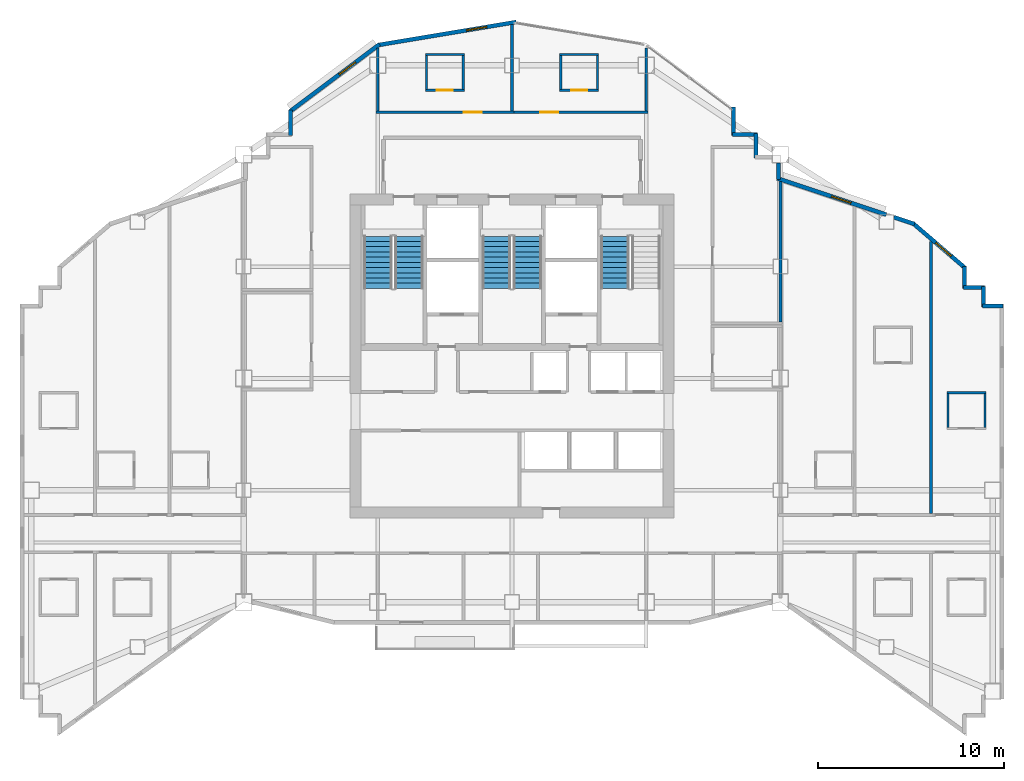
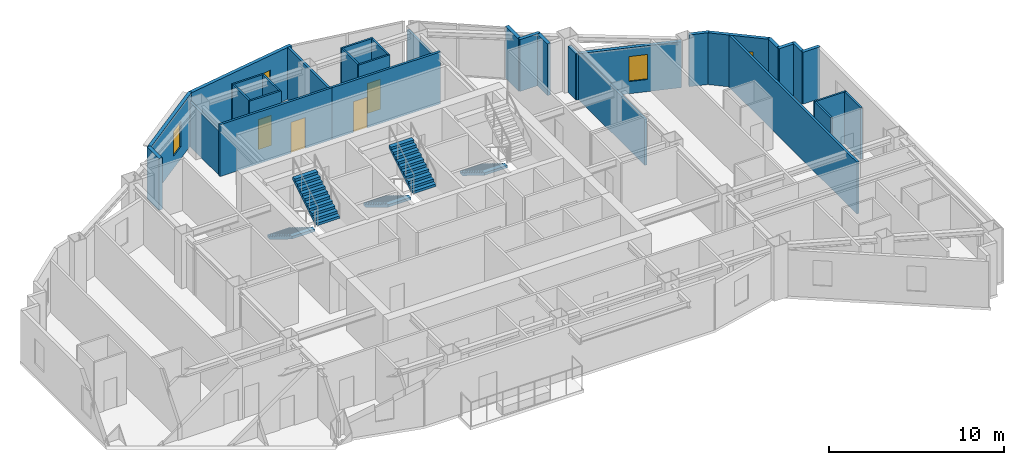
# One storey, part 9 of 12: 32 walls, 5 stair flights, 4 doors, 4 windows, 8 openings, 3 elements without a shape of their own.
"""IFC4 building model written with IfcOpenShell, lengths in metres."""

from ifc_helpers import new_model, si_unit, direction, frame, frame_2d, origin, place, context, subcontext, project, spatial, polyline, rectangle, outline, extrude, material, layer, layer_set, type_object, element, fill, aggregate, save


model = new_model("IFC4")

# Units and contexts
model_context = context("Model", 3, precision=1e-05, world=origin(), true_north=direction((0.0, 1.0)))
body_context = subcontext(model_context, "Body", "Model", "MODEL_VIEW")
ifc_project = project(units=[si_unit("LENGTHUNIT", "METRE"), si_unit("AREAUNIT", "SQUARE_METRE"), si_unit("VOLUMEUNIT", "CUBIC_METRE"), si_unit("PLANEANGLEUNIT", "RADIAN"), si_unit("MASSUNIT", "GRAM", prefix="KILO")], contexts=[model_context])

# Site, building, storey
site_placement = place(None, origin())
site = spatial("IfcSite", under=ifc_project, at=site_placement, CompositionType="ELEMENT")
building_placement = place(site_placement, origin())
building = spatial("IfcBuilding", under=site, at=building_placement, Name="Haolan Belvedere Tower", CompositionType="ELEMENT")
storey_placement = place(building_placement, frame((0.0, 0.0, 195.60009765625)))
storey = spatial("IfcBuildingStorey", under=building, at=storey_placement, Name="L49", CompositionType="ELEMENT", Elevation=195.60009765625)

# Walls
ifc_material_1 = material(Name="Precast concrete C40/50", Category="concrete")
ifc_layer_1 = layer(ifc_material_1, 0.219970703125, Name="Precast concrete C40/50")
ifc_layer_set_1 = layer_set([ifc_layer_1], Name="Precast concrete C40/50")
wall_type_1 = type_object("IfcWallType", Name="WL-EXT-220", PredefinedType="SOLIDWALL", material=ifc_layer_set_1)
wall_1_placement = place(storey_placement, frame((64.7451171875, 37.489990234375, 0.0), z_axis=(0.0, 0.0, 1.0), x_axis=(-1.0, 0.0, 0.0)))
element("IfcWall", 1, at=wall_1_placement, inside=storey, type_object=wall_type_1, Name="L49 pale-metal exterior spandrel wall 9.1", PredefinedType="SOLIDWALL", context=body_context, shape_type="SweptSolid", body=[
    extrude(rectangle(XDim=1.110107421875, YDim=0.219970703125, at=frame_2d((0.55517578125, 0.0))), origin(), (0.0, 0.0, 1.0), 3.619873046875),
])
wall_2_placement = place(storey_placement, frame((63.68994140625, 37.43505859375, 0.0), z_axis=(0.0, 0.0, 1.0), x_axis=(0.0, 1.0, 0.0)))
element("IfcWall", 2, at=wall_2_placement, inside=storey, type_object=wall_type_1, Name="L49 pale-metal exterior spandrel wall 10.1", PredefinedType="SOLIDWALL", context=body_context, shape_type="SweptSolid", body=[
    extrude(rectangle(XDim=1.10986328125, YDim=0.219970703125, at=frame_2d((0.554931640625, 0.0))), origin(), (0.0, 0.0, 1.0), 3.619873046875),
])
wall_3_placement = place(storey_placement, frame((63.7451171875, 38.489990234375, 0.0), z_axis=(0.0, 0.0, 1.0), x_axis=(-1.0, 0.0, 0.0)))
element("IfcWall", 3, at=wall_3_placement, inside=storey, type_object=wall_type_1, Name="L49 pale-metal exterior spandrel wall 11.1", PredefinedType="SOLIDWALL", context=body_context, shape_type="SweptSolid", body=[
    extrude(rectangle(XDim=1.110107421875, YDim=0.219970703125, at=frame_2d((0.55517578125, 0.0))), origin(), (0.0, 0.0, 1.0), 3.619873046875),
])
wall_4_placement = place(storey_placement, frame((62.68994140625, 38.43505859375, 0.0), z_axis=(0.0, 0.0, 1.0), x_axis=(0.0, 1.0, 0.0)))
element("IfcWall", 4, at=wall_4_placement, inside=storey, type_object=wall_type_1, Name="L49 pale-metal exterior spandrel wall 12.1", PredefinedType="SOLIDWALL", context=body_context, shape_type="SweptSolid", body=[
    extrude(rectangle(XDim=1.16943359375, YDim=0.219970703125, at=frame_2d((0.584716796875, 0.0))), origin(), (0.0, 0.0, 1.0), 3.619873046875),
])

# Wall, opening, window
wall_5_placement = place(storey_placement, frame((62.731689453125, 39.513671875, 0.0), z_axis=(0.0, 0.0, 1.0), x_axis=(-0.759251976569, 0.65079677018, 0.0)))
wall_5 = element("IfcWall", 5, at=wall_5_placement, inside=storey, type_object=wall_type_1, Name="L49 pale-metal exterior spandrel wall 13.1", PredefinedType="SOLIDWALL", context=body_context, shape_type="SweptSolid", body=[
    extrude(rectangle(XDim=3.7255859375, YDim=0.219970703125, at=frame_2d((1.86279296875, 0.0))), origin(), (0.0, 0.0, 1.0), 3.619873046875),
])
opening_1_placement = place(wall_5_placement, frame((1.00341796875, 0.0, 0.85009765625)))
opening_1 = element("IfcOpeningElement", 6, at=opening_1_placement, cuts=wall_5, Name="Opening W-03", PredefinedType="OPENING", context=body_context, shape_type="SweptSolid", body=[
    extrude(rectangle(XDim=1.10009765625, YDim=1.75, at=frame_2d((0.550048828125, 0.875))), frame((0.0, 0.119873046875, 0.0), z_axis=(0.0, -1.0, 0.0), x_axis=(1.0, 0.0, 0.0)), (0.0, 0.0, 1.0), 0.239990234375),
])
ifc_material_2 = material(Name="Anodised aluminium 6063-T6 and Low-E glass", Category="aluminium")
window_type = type_object("IfcWindowType", Name="WN-DECO-Z3", PartitioningType="SINGLE_PANEL", PredefinedType="WINDOW", material=ifc_material_2)
window_1_placement = place(opening_1_placement, origin())
window_1 = element("IfcWindow", 7, at=window_1_placement, inside=storey, type_object=window_type, Name="L49 Art Deco chevron window 1", OverallHeight=1.75, OverallWidth=1.10009765625, PartitioningType="SINGLE_PANEL", PredefinedType="WINDOW", context=body_context, shape_type="SweptSolid", body=[
    extrude(rectangle(XDim=1.10009765625, YDim=1.75, at=frame_2d((0.550048828125, 0.875))), frame((0.0, 0.030029296875, 0.0), z_axis=(0.0, -1.0, 0.0), x_axis=(1.0, 0.0, 0.0)), (0.0, 0.0, 1.0), 0.06005859375),
])
fill(opening_1, window_1)

# Wall
wall_6_placement = place(storey_placement, frame((59.9970703125, 41.885009765625, 0.0), z_axis=(0.0, 0.0, 1.0), x_axis=(-0.948662335685, 0.316290646166, 0.0)))
element("IfcWall", 8, at=wall_6_placement, inside=storey, type_object=wall_type_1, Name="L49 pale-metal exterior spandrel wall 14.1", PredefinedType="SOLIDWALL", context=body_context, shape_type="SweptSolid", body=[
    extrude(rectangle(XDim=1.164794921875, YDim=0.219970703125, at=frame_2d((0.58251953125, 0.0))), origin(), (0.0, 0.0, 1.0), 3.619873046875),
])

# Wall, opening, window
wall_7_placement = place(storey_placement, frame((58.476318359375, 42.39208984375, 0.0), z_axis=(0.0, 0.0, 1.0), x_axis=(-0.948691231611, 0.316203964339, 0.0)))
wall_7 = element("IfcWall", 9, at=wall_7_placement, inside=storey, type_object=wall_type_1, Name="L49 pale-metal exterior spandrel wall 14.2", PredefinedType="SOLIDWALL", context=body_context, shape_type="SweptSolid", body=[
    extrude(rectangle(XDim=6.154296875, YDim=0.219970703125, at=frame_2d((3.0771484375, 0.0))), origin(), (0.0, 0.0, 1.0), 3.21484375),
])
opening_2_placement = place(wall_7_placement, frame((1.989013671875, 0.0, 0.85009765625)))
opening_2 = element("IfcOpeningElement", 10, at=opening_2_placement, cuts=wall_7, Name="Opening W-03", PredefinedType="OPENING", context=body_context, shape_type="SweptSolid", body=[
    extrude(rectangle(XDim=1.10009765625, YDim=1.75, at=frame_2d((0.550048828125, 0.875))), frame((0.0, 0.119873046875, 0.0), z_axis=(0.0, -1.0, 0.0), x_axis=(1.0, 0.0, 0.0)), (0.0, 0.0, 1.0), 0.239990234375),
])
window_2_placement = place(opening_2_placement, origin())
window_2 = element("IfcWindow", 11, at=window_2_placement, inside=storey, type_object=window_type, Name="L49 Art Deco chevron window 1", OverallHeight=1.75, OverallWidth=1.10009765625, PartitioningType="SINGLE_PANEL", PredefinedType="WINDOW", context=body_context, shape_type="SweptSolid", body=[
    extrude(rectangle(XDim=1.10009765625, YDim=1.75, at=frame_2d((0.550048828125, 0.875))), frame((0.0, 0.030029296875, 0.0), z_axis=(0.0, -1.0, 0.0), x_axis=(1.0, 0.0, 0.0)), (0.0, 0.0, 1.0), 0.06005859375),
])
fill(opening_2, window_2)

# Walls
wall_8_placement = place(storey_placement, frame((52.68994140625, 44.265625, 0.0), z_axis=(0.0, 0.0, 1.0), x_axis=(0.0, 1.0, 0.0)))
element("IfcWall", 12, at=wall_8_placement, inside=storey, type_object=wall_type_1, Name="L49 pale-metal exterior spandrel wall 15.1", PredefinedType="SOLIDWALL", context=body_context, shape_type="SweptSolid", body=[
    extrude(rectangle(XDim=0.892333984375, YDim=0.219970703125, at=frame_2d((0.4462890625, 0.0))), origin(), (0.0, 0.0, 1.0), 3.21484375),
])
wall_9_placement = place(storey_placement, frame((51.489990234375, 45.43505859375, 0.0), z_axis=(0.0, 0.0, 1.0), x_axis=(0.0, 1.0, 0.0)))
element("IfcWall", 13, at=wall_9_placement, inside=storey, type_object=wall_type_1, Name="L49 pale-metal exterior spandrel wall 17.1", PredefinedType="SOLIDWALL", context=body_context, shape_type="SweptSolid", body=[
    extrude(rectangle(XDim=1.31005859375, YDim=0.219970703125, at=frame_2d((0.655029296875, 0.0))), origin(), (0.0, 0.0, 1.0), 3.619873046875),
])
wall_10_placement = place(storey_placement, frame((51.544921875, 46.68994140625, 0.0), z_axis=(0.0, 0.0, 1.0), x_axis=(-1.0, 0.0, 0.0)))
element("IfcWall", 14, at=wall_10_placement, inside=storey, type_object=wall_type_1, Name="L49 pale-metal exterior spandrel wall 18.1", PredefinedType="SOLIDWALL", context=body_context, shape_type="SweptSolid", body=[
    extrude(rectangle(XDim=1.309814453125, YDim=0.219970703125, at=frame_2d((0.65478515625, 0.0))), origin(), (0.0, 0.0, 1.0), 3.619873046875),
])
wall_11_placement = place(storey_placement, frame((50.2900390625, 46.635009765625, 0.0), z_axis=(0.0, 0.0, 1.0), x_axis=(0.0, 1.0, 0.0)))
element("IfcWall", 15, at=wall_11_placement, inside=storey, type_object=wall_type_1, Name="L49 pale-metal exterior spandrel wall 19.1", PredefinedType="SOLIDWALL", context=body_context, shape_type="SweptSolid", body=[
    extrude(rectangle(XDim=1.534912109375, YDim=0.219970703125, at=frame_2d((0.767578125, 0.0))), origin(), (0.0, 0.0, 1.0), 3.619873046875),
])

# Wall, opening, window
wall_12_placement = place(storey_placement, frame((38.621826171875, 52.7255859375, 0.0), z_axis=(0.0, 0.0, 1.0), x_axis=(-0.986390420428, -0.164420006349, 0.0)))
wall_12 = element("IfcWall", 16, at=wall_12_placement, inside=storey, type_object=wall_type_1, Name="L49 pale-metal exterior spandrel wall 22.1", PredefinedType="SOLIDWALL", context=body_context, shape_type="SweptSolid", body=[
    extrude(rectangle(XDim=7.5341796875, YDim=0.219970703125, at=frame_2d((3.76708984375, 0.0))), origin(), (0.0, 0.0, 1.0), 3.619873046875),
])
opening_3_placement = place(wall_12_placement, frame((1.60009765625, 0.0, 0.85009765625)))
opening_3 = element("IfcOpeningElement", 17, at=opening_3_placement, cuts=wall_12, Name="Opening W-03", PredefinedType="OPENING", context=body_context, shape_type="SweptSolid", body=[
    extrude(rectangle(XDim=1.10009765625, YDim=1.75, at=frame_2d((0.550048828125, 0.875))), frame((0.0, 0.119873046875, 0.0), z_axis=(0.0, -1.0, 0.0), x_axis=(1.0, 0.0, 0.0)), (0.0, 0.0, 1.0), 0.239990234375),
])
window_3_placement = place(opening_3_placement, origin())
window_3 = element("IfcWindow", 18, at=window_3_placement, inside=storey, type_object=window_type, Name="L49 Art Deco chevron window 1", OverallHeight=1.75, OverallWidth=1.10009765625, PartitioningType="SINGLE_PANEL", PredefinedType="WINDOW", context=body_context, shape_type="SweptSolid", body=[
    extrude(rectangle(XDim=1.10009765625, YDim=1.75, at=frame_2d((0.550048828125, 0.875))), frame((0.0, 0.030029296875, 0.0), z_axis=(0.0, -1.0, 0.0), x_axis=(1.0, 0.0, 0.0)), (0.0, 0.0, 1.0), 0.06005859375),
])
fill(opening_3, window_3)

wall_13_placement = place(storey_placement, frame((31.28857421875, 51.52880859375, 0.0), z_axis=(0.0, 0.0, 1.0), x_axis=(-0.800014580093, -0.599980559383, 0.0)))
wall_13 = element("IfcWall", 19, at=wall_13_placement, inside=storey, type_object=wall_type_1, Name="L49 pale-metal exterior spandrel wall 23.1", PredefinedType="SOLIDWALL", context=body_context, shape_type="SweptSolid", body=[
    extrude(rectangle(XDim=6.028076171875, YDim=0.219970703125, at=frame_2d((3.01416015625, 0.0))), origin(), (0.0, 0.0, 1.0), 3.619873046875),
])
opening_4_placement = place(wall_13_placement, frame((1.60009765625, 0.0, 0.85009765625)))
opening_4 = element("IfcOpeningElement", 20, at=opening_4_placement, cuts=wall_13, Name="Opening W-03", PredefinedType="OPENING", context=body_context, shape_type="SweptSolid", body=[
    extrude(rectangle(XDim=1.10009765625, YDim=1.75, at=frame_2d((0.550048828125, 0.875))), frame((0.0, 0.119873046875, 0.0), z_axis=(0.0, -1.0, 0.0), x_axis=(1.0, 0.0, 0.0)), (0.0, 0.0, 1.0), 0.239990234375),
])
window_4_placement = place(opening_4_placement, origin())
window_4 = element("IfcWindow", 21, at=window_4_placement, inside=storey, type_object=window_type, Name="L49 Art Deco chevron window 1", OverallHeight=1.75, OverallWidth=1.10009765625, PartitioningType="SINGLE_PANEL", PredefinedType="WINDOW", context=body_context, shape_type="SweptSolid", body=[
    extrude(rectangle(XDim=1.10009765625, YDim=1.75, at=frame_2d((0.550048828125, 0.875))), frame((0.0, 0.030029296875, 0.0), z_axis=(0.0, -1.0, 0.0), x_axis=(1.0, 0.0, 0.0)), (0.0, 0.0, 1.0), 0.06005859375),
])
fill(opening_4, window_4)

# Walls
wall_14_placement = place(storey_placement, frame((26.510009765625, 48.0, 0.0), z_axis=(0.0, 0.0, 1.0), x_axis=(0.0, -1.0, 0.0)))
element("IfcWall", 22, at=wall_14_placement, inside=storey, type_object=wall_type_1, Name="L49 pale-metal exterior spandrel wall 24.1", PredefinedType="SOLIDWALL", context=body_context, shape_type="SweptSolid", body=[
    extrude(rectangle(XDim=1.364990234375, YDim=0.219970703125, at=frame_2d((0.6826171875, 0.0))), origin(), (0.0, 0.0, 1.0), 3.619873046875),
])
ifc_material_3 = material(Name="Double gypsum acoustic stud partition", Category="masonry")
ifc_layer_2 = layer(ifc_material_3, 0.14990234375, Name="Double gypsum acoustic stud partition")
ifc_layer_set_2 = layer_set([ifc_layer_2], Name="Double gypsum acoustic stud partition")
wall_type_2 = type_object("IfcWallType", Name="WL-PART-150", PredefinedType="PARTITIONING", material=ifc_layer_set_2)
wall_15_placement = place(storey_placement, frame((52.800048828125, 36.6201171875, 0.0), z_axis=(0.0, 0.0, 1.0), x_axis=(0.0, 1.0, 0.0)))
element("IfcWall", 23, at=wall_15_placement, inside=storey, type_object=wall_type_2, Name="L49 interior partition IW-L49-SAL-E", PredefinedType="PARTITIONING", context=body_context, shape_type="SweptSolid", body=[
    extrude(rectangle(XDim=7.556396484375, YDim=0.14990234375, at=frame_2d((3.7783203125, 0.0))), origin(), (0.0, 0.0, 1.0), 3.21484375),
])

# Wall, opening, door
wall_16_placement = place(storey_placement, frame((31.10009765625, 47.8798828125, 0.0), z_axis=(0.0, 0.0, 1.0), x_axis=(1.0, 0.0, 0.0)))
wall_16 = element("IfcWall", 24, at=wall_16_placement, inside=storey, type_object=wall_type_2, Name="L49 interior partition IW-L49-KN2-S", PredefinedType="PARTITIONING", context=body_context, shape_type="SweptSolid", body=[
    extrude(rectangle(XDim=7.39990234375, YDim=0.14990234375, at=frame_2d((3.699951171875, 0.0))), origin(), (0.0, 0.0, 1.0), 3.619873046875),
])
opening_5_placement = place(wall_16_placement, frame((4.713623046875, 0.0, 0.0)))
opening_5 = element("IfcOpeningElement", 25, at=opening_5_placement, cuts=wall_16, Name="Opening ID-02", PredefinedType="OPENING", context=body_context, shape_type="SweptSolid", body=[
    extrude(rectangle(XDim=0.949951171875, YDim=2.14990234375, at=frame_2d((0.47509765625, 1.074951171875))), frame((0.0, 0.0849609375, 0.0), z_axis=(0.0, -1.0, 0.0), x_axis=(1.0, 0.0, 0.0)), (0.0, 0.0, 1.0), 0.169921875),
])
ifc_material_4 = material(Name="Acoustic oak veneer fire-rated timber", Category="wood")
door_type_1 = type_object("IfcDoorType", Name="DR-GUEST-950", OperationType="NOTDEFINED", PredefinedType="DOOR", material=ifc_material_4)
door_1_placement = place(opening_5_placement, origin())
door_1 = element("IfcDoor", 26, at=door_1_placement, inside=storey, type_object=door_type_1, Name="L49 door ID-L49-KN2-ENT", OperationType="SINGLE_SWING_LEFT", OverallHeight=2.14990234375, OverallWidth=0.949951171875, PredefinedType="DOOR", context=body_context, shape_type="SweptSolid", body=[
    extrude(rectangle(XDim=0.949951171875, YDim=2.14990234375, at=frame_2d((0.47509765625, 1.074951171875))), frame((0.0, 0.02490234375, 0.0), z_axis=(0.0, -1.0, 0.0), x_axis=(1.0, 0.0, 0.0)), (0.0, 0.0, 1.0), 0.050048828125),
])
fill(opening_5, door_1)

# Walls
wall_17_placement = place(storey_placement, frame((31.199951171875, 47.93994140625, 0.0), z_axis=(0.0, 0.0, 1.0), x_axis=(0.0, 1.0, 0.0)))
element("IfcWall", 27, at=wall_17_placement, inside=storey, type_object=wall_type_2, Name="L49 interior partition IW-L49-KN2-W", PredefinedType="PARTITIONING", context=body_context, shape_type="SweptSolid", body=[
    extrude(rectangle(XDim=3.39501953125, YDim=0.14990234375, at=frame_2d((1.697509765625, 0.0))), origin(), (0.0, 0.0, 1.0), 3.10498046875),
])
wall_18_placement = place(storey_placement, frame((38.39990234375, 47.93994140625, 0.0), z_axis=(0.0, 0.0, 1.0), x_axis=(0.0, 1.0, 0.0)))
element("IfcWall", 28, at=wall_18_placement, inside=storey, type_object=wall_type_2, Name="L49 interior partition IW-L49-KN2-E", PredefinedType="PARTITIONING", context=body_context, shape_type="SweptSolid", body=[
    extrude(rectangle(XDim=4.645263671875, YDim=0.14990234375, at=frame_2d((2.32275390625, 0.0))), origin(), (0.0, 0.0, 1.0), 3.619873046875),
])

# Wall, opening, door
wall_19_placement = place(storey_placement, frame((38.501953125, 47.8798828125, 0.0), z_axis=(0.0, 0.0, 1.0), x_axis=(1.0, 0.0, 0.0)))
wall_19 = element("IfcWall", 29, at=wall_19_placement, inside=storey, type_object=wall_type_2, Name="L49 interior partition IW-L49-KN3-S", PredefinedType="PARTITIONING", context=body_context, shape_type="SweptSolid", body=[
    extrude(rectangle(XDim=7.197998046875, YDim=0.14990234375, at=frame_2d((3.59912109375, 0.0))), origin(), (0.0, 0.0, 1.0), 3.619873046875),
])
opening_6_placement = place(wall_19_placement, frame((1.41748046875, 0.0, 0.0)))
opening_6 = element("IfcOpeningElement", 30, at=opening_6_placement, cuts=wall_19, Name="Opening ID-02", PredefinedType="OPENING", context=body_context, shape_type="SweptSolid", body=[
    extrude(rectangle(XDim=0.949951171875, YDim=2.14990234375, at=frame_2d((0.47509765625, 1.074951171875))), frame((0.0, 0.0849609375, 0.0), z_axis=(0.0, -1.0, 0.0), x_axis=(1.0, 0.0, 0.0)), (0.0, 0.0, 1.0), 0.169921875),
])
door_2_placement = place(opening_6_placement, origin())
door_2 = element("IfcDoor", 31, at=door_2_placement, inside=storey, type_object=door_type_1, Name="L49 door ID-L49-KN3-ENT", OperationType="SINGLE_SWING_RIGHT", OverallHeight=2.14990234375, OverallWidth=0.949951171875, PredefinedType="DOOR", context=body_context, shape_type="SweptSolid", body=[
    extrude(rectangle(XDim=0.949951171875, YDim=2.14990234375, at=frame_2d((0.47509765625, 1.074951171875))), frame((0.0, 0.02490234375, 0.0), z_axis=(0.0, -1.0, 0.0), x_axis=(1.0, 0.0, 0.0)), (0.0, 0.0, 1.0), 0.050048828125),
])
fill(opening_6, door_2)

# Walls
wall_20_placement = place(storey_placement, frame((45.60009765625, 47.93994140625, 0.0), z_axis=(0.0, 0.0, 1.0), x_axis=(0.0, 1.0, 0.0)))
element("IfcWall", 32, at=wall_20_placement, inside=storey, type_object=wall_type_2, Name="L49 interior partition IW-L49-KN3-E", PredefinedType="PARTITIONING", context=body_context, shape_type="SweptSolid", body=[
    extrude(rectangle(XDim=3.39501953125, YDim=0.14990234375, at=frame_2d((1.697509765625, 0.0))), origin(), (0.0, 0.0, 1.0), 3.10498046875),
])
wall_21_placement = place(storey_placement, frame((60.889892578125, 26.340087890625, 0.0), z_axis=(0.0, 0.0, 1.0), x_axis=(0.0, 1.0, 0.0)))
element("IfcWall", 33, at=wall_21_placement, inside=storey, type_object=wall_type_2, Name="L49 interior partition IW-L49-T4N2-E", PredefinedType="PARTITIONING", context=body_context, shape_type="SweptSolid", body=[
    extrude(rectangle(XDim=14.617919921875, YDim=0.14990234375, at=frame_2d((7.30908203125, 0.0))), origin(), (0.0, 0.0, 1.0), 3.619873046875),
])
ifc_material_5 = material(Name="Moisture-resistant gypsum tile partition", Category="masonry")
ifc_layer_3 = layer(ifc_material_5, 0.1201171875, Name="Moisture-resistant gypsum tile partition")
ifc_layer_set_3 = layer_set([ifc_layer_3], Name="Moisture-resistant gypsum tile partition")
wall_type_3 = type_object("IfcWallType", Name="WL-WET-120", PredefinedType="PARTITIONING", material=ifc_layer_set_3)
wall_22_placement = place(storey_placement, frame((33.75, 50.97998046875, 0.0), z_axis=(0.0, 0.0, 1.0), x_axis=(1.0, 0.0, 0.0)))
element("IfcWall", 34, at=wall_22_placement, inside=storey, type_object=wall_type_3, Name="L49 interior partition IW-L49-KN2-BN", PredefinedType="PARTITIONING", context=body_context, shape_type="SweptSolid", body=[
    extrude(rectangle(XDim=2.10009765625, YDim=0.1201171875, at=frame_2d((1.050048828125, 0.0))), origin(), (0.0, 0.0, 1.0), 3.619873046875),
])

# Wall, opening, door
wall_23_placement = place(storey_placement, frame((33.75, 49.06005859375, 0.0), z_axis=(0.0, 0.0, 1.0), x_axis=(1.0, 0.0, 0.0)))
wall_23 = element("IfcWall", 35, at=wall_23_placement, inside=storey, type_object=wall_type_3, Name="L49 interior partition IW-L49-KN2-BS", PredefinedType="PARTITIONING", context=body_context, shape_type="SweptSolid", body=[
    extrude(rectangle(XDim=2.10009765625, YDim=0.1201171875, at=frame_2d((1.050048828125, 0.0))), origin(), (0.0, 0.0, 1.0), 3.619873046875),
])
opening_7_placement = place(wall_23_placement, frame((0.625, 0.0, 0.0)))
opening_7 = element("IfcOpeningElement", 36, at=opening_7_placement, cuts=wall_23, Name="Opening ID-05", PredefinedType="OPENING", context=body_context, shape_type="SweptSolid", body=[
    extrude(rectangle(XDim=0.85009765625, YDim=2.10009765625, at=frame_2d((0.425048828125, 1.050048828125))), frame((0.0, 0.070068359375, 0.0), z_axis=(0.0, -1.0, 0.0), x_axis=(1.0, 0.0, 0.0)), (0.0, 0.0, 1.0), 0.14013671875),
])
ifc_material_6 = material(Name="Moisture-resistant lacquered timber", Category="wood")
door_type_2 = type_object("IfcDoorType", Name="DR-BATH-850", OperationType="NOTDEFINED", PredefinedType="DOOR", material=ifc_material_6)
door_3_placement = place(opening_7_placement, origin())
door_3 = element("IfcDoor", 37, at=door_3_placement, inside=storey, type_object=door_type_2, Name="L49 door ID-L49-KN2-BATH", OperationType="SINGLE_SWING_RIGHT", OverallHeight=2.10009765625, OverallWidth=0.85009765625, PredefinedType="DOOR", context=body_context, shape_type="SweptSolid", body=[
    extrude(rectangle(XDim=0.85009765625, YDim=2.10009765625, at=frame_2d((0.425048828125, 1.050048828125))), frame((0.0, 0.02490234375, 0.0), z_axis=(0.0, -1.0, 0.0), x_axis=(1.0, 0.0, 0.0)), (0.0, 0.0, 1.0), 0.050048828125),
])
fill(opening_7, door_3)

# Walls
for number, where, z_axis, x_axis, name in (
    (38, (33.81005859375, 49.10498046875, 0.0), (0.0, 0.0, 1.0), (0.0, 1.0, 0.0), "L49 interior partition IW-L49-KN2-BW"),
    (39, (35.7900390625, 49.10498046875, 0.0), (0.0, 0.0, 1.0), (0.0, 1.0, 0.0), "L49 interior partition IW-L49-KN2-BE"),
):
    element("IfcWall", number, at=place(storey_placement, frame(where, z_axis=z_axis, x_axis=x_axis)), inside=storey, type_object=wall_type_3, Name=name, PredefinedType="PARTITIONING", context=body_context, shape_type="SweptSolid", body=[
        extrude(rectangle(XDim=1.830078125, YDim=0.1201171875, at=frame_2d((0.9150390625, 0.0))), origin(), (0.0, 0.0, 1.0), 3.619873046875),
    ])
wall_24_placement = place(storey_placement, frame((40.949951171875, 50.97998046875, 0.0), z_axis=(0.0, 0.0, 1.0), x_axis=(1.0, 0.0, 0.0)))
element("IfcWall", 40, at=wall_24_placement, inside=storey, type_object=wall_type_3, Name="L49 interior partition IW-L49-KN3-BN", PredefinedType="PARTITIONING", context=body_context, shape_type="SweptSolid", body=[
    extrude(rectangle(XDim=2.10009765625, YDim=0.1201171875, at=frame_2d((1.050048828125, 0.0))), origin(), (0.0, 0.0, 1.0), 3.619873046875),
])

# Wall, opening, door
wall_25_placement = place(storey_placement, frame((40.949951171875, 49.06005859375, 0.0), z_axis=(0.0, 0.0, 1.0), x_axis=(1.0, 0.0, 0.0)))
wall_25 = element("IfcWall", 41, at=wall_25_placement, inside=storey, type_object=wall_type_3, Name="L49 interior partition IW-L49-KN3-BS", PredefinedType="PARTITIONING", context=body_context, shape_type="SweptSolid", body=[
    extrude(rectangle(XDim=2.10009765625, YDim=0.1201171875, at=frame_2d((1.050048828125, 0.0))), origin(), (0.0, 0.0, 1.0), 3.619873046875),
])
opening_8_placement = place(wall_25_placement, frame((0.625, 0.0, 0.0)))
opening_8 = element("IfcOpeningElement", 42, at=opening_8_placement, cuts=wall_25, Name="Opening ID-05", PredefinedType="OPENING", context=body_context, shape_type="SweptSolid", body=[
    extrude(rectangle(XDim=0.85009765625, YDim=2.10009765625, at=frame_2d((0.425048828125, 1.050048828125))), frame((0.0, 0.070068359375, 0.0), z_axis=(0.0, -1.0, 0.0), x_axis=(1.0, 0.0, 0.0)), (0.0, 0.0, 1.0), 0.14013671875),
])
door_4_placement = place(opening_8_placement, origin())
door_4 = element("IfcDoor", 43, at=door_4_placement, inside=storey, type_object=door_type_2, Name="L49 door ID-L49-KN3-BATH", OperationType="SINGLE_SWING_LEFT", OverallHeight=2.10009765625, OverallWidth=0.85009765625, PredefinedType="DOOR", context=body_context, shape_type="SweptSolid", body=[
    extrude(rectangle(XDim=0.85009765625, YDim=2.10009765625, at=frame_2d((0.425048828125, 1.050048828125))), frame((0.0, 0.02490234375, 0.0), z_axis=(0.0, -1.0, 0.0), x_axis=(1.0, 0.0, 0.0)), (0.0, 0.0, 1.0), 0.050048828125),
])
fill(opening_8, door_4)

# Walls
for number, where, z_axis, x_axis, name in (
    (44, (41.010009765625, 49.10498046875, 0.0), (0.0, 0.0, 1.0), (0.0, 1.0, 0.0), "L49 interior partition IW-L49-KN3-BW"),
    (45, (42.989990234375, 49.10498046875, 0.0), (0.0, 0.0, 1.0), (0.0, 1.0, 0.0), "L49 interior partition IW-L49-KN3-BE"),
):
    element("IfcWall", number, at=place(storey_placement, frame(where, z_axis=z_axis, x_axis=x_axis)), inside=storey, type_object=wall_type_3, Name=name, PredefinedType="PARTITIONING", context=body_context, shape_type="SweptSolid", body=[
        extrude(rectangle(XDim=1.830078125, YDim=0.1201171875, at=frame_2d((0.9150390625, 0.0))), origin(), (0.0, 0.0, 1.0), 3.619873046875),
    ])
wall_26_placement = place(storey_placement, frame((61.737060546875, 32.8349609375, 0.0), z_axis=(0.0, 0.0, 1.0), x_axis=(1.0, 0.0, 0.0)))
element("IfcWall", 46, at=wall_26_placement, inside=storey, type_object=wall_type_3, Name="L49 interior partition IW-L49-T4N3-BN", PredefinedType="PARTITIONING", context=body_context, shape_type="SweptSolid", body=[
    extrude(rectangle(XDim=2.099853515625, YDim=0.1201171875, at=frame_2d((1.0498046875, 0.0))), origin(), (0.0, 0.0, 1.0), 3.619873046875),
])
for number, where, z_axis, x_axis, name in (
    (47, (61.797119140625, 30.9599609375, 0.0), (0.0, 0.0, 1.0), (0.0, 1.0, 0.0), "L49 interior partition IW-L49-T4N3-BW"),
    (48, (63.777099609375, 30.9599609375, 0.0), (0.0, 0.0, 1.0), (0.0, 1.0, 0.0), "L49 interior partition IW-L49-T4N3-BE"),
):
    element("IfcWall", number, at=place(storey_placement, frame(where, z_axis=z_axis, x_axis=x_axis)), inside=storey, type_object=wall_type_3, Name=name, PredefinedType="PARTITIONING", context=body_context, shape_type="SweptSolid", body=[
        extrude(rectangle(XDim=1.830078125, YDim=0.1201171875, at=frame_2d((0.9150390625, 0.0))), origin(), (0.0, 0.0, 1.0), 3.619873046875),
    ])

# Stair, stair flights
ifc_material_7 = material(Name="Concrete C40/50", Category="concrete")
stair_type = type_object("IfcStairType", Name="STR-DL-22R-173", PredefinedType="HALF_TURN_STAIR", material=ifc_material_7)
stair_1_placement = place(storey_placement, origin())
stair_1 = element("IfcStair", 49, at=stair_1_placement, inside=storey, type_object=stair_type, Name="L49 Smokeproof Core Exit Stair ST1", PredefinedType="HALF_TURN_STAIR")
stair_flight_type = type_object("IfcStairFlightType", Name="SFL-DL-11R-173", PredefinedType="STRAIGHT", material=ifc_material_7)
stair_flight_1_placement = place(storey_placement, frame((31.2099609375, 41.22998046875, 0.0), z_axis=(0.0, 0.0, 1.0), x_axis=(0.0, -1.0, 0.0)))
stair_flight_1 = element("IfcStairFlight", 50, at=stair_flight_1_placement, type_object=stair_flight_type, Name="ST1 flight 1", NumberOfRisers=11, NumberOfTreads=10, PredefinedType="STRAIGHT", RiserHeight=0.172727273, TreadLength=0.28, context=body_context, shape_type="SweptSolid", body=[
    extrude(outline(polyline([(0.0, 0.0), (0.0, 0.172607421875), (0.280029296875, 0.172607421875), (0.280029296875, 0.345458984375), (0.56005859375, 0.345458984375), (0.56005859375, 0.51806640625), (0.840087890625, 0.51806640625), (0.840087890625, 0.69091796875), (1.1201171875, 0.69091796875), (1.1201171875, 0.863525390625), (1.39990234375, 0.863525390625), (1.39990234375, 1.036376953125), (1.679931640625, 1.036376953125), (1.679931640625, 1.208984375), (1.9599609375, 1.208984375), (1.9599609375, 1.3818359375), (2.239990234375, 1.3818359375), (2.239990234375, 1.554443359375), (2.52001953125, 1.554443359375), (2.52001953125, 1.727294921875), (2.800048828125, 1.727294921875), (2.800048828125, 1.89990234375), (2.800048828125, 1.551025390625), (0.285400390625, 0.0), (0.0, 0.0)])), frame((0.0, 0.760009765625, 0.0), z_axis=(0.0, -1.0, 0.0), x_axis=(1.0, 0.0, 0.0)), (0.0, 0.0, 1.0), 1.52001953125),
])
stair_flight_2_placement = place(storey_placement, frame((32.8701171875, 38.429931640625, 1.89990234375), z_axis=(0.0, 0.0, 1.0), x_axis=(0.0, 1.0, 0.0)))
stair_flight_2 = element("IfcStairFlight", 51, at=stair_flight_2_placement, type_object=stair_flight_type, Name="ST1 flight 2", NumberOfRisers=11, NumberOfTreads=10, PredefinedType="STRAIGHT", RiserHeight=0.172727273, TreadLength=0.28, context=body_context, shape_type="SweptSolid", body=[
    extrude(outline(polyline([(0.0, 0.0), (0.0, 0.172607421875), (0.280029296875, 0.172607421875), (0.280029296875, 0.345458984375), (0.56005859375, 0.345458984375), (0.56005859375, 0.51806640625), (0.840087890625, 0.51806640625), (0.840087890625, 0.69091796875), (1.1201171875, 0.69091796875), (1.1201171875, 0.863525390625), (1.39990234375, 0.863525390625), (1.39990234375, 1.036376953125), (1.679931640625, 1.036376953125), (1.679931640625, 1.208984375), (1.9599609375, 1.208984375), (1.9599609375, 1.3818359375), (2.239990234375, 1.3818359375), (2.239990234375, 1.554443359375), (2.52001953125, 1.554443359375), (2.52001953125, 1.727294921875), (2.800048828125, 1.727294921875), (2.800048828125, 1.89990234375), (2.800048828125, 1.551025390625), (0.285400390625, 0.0), (0.0, 0.0)])), frame((0.0, 0.760009765625, 0.0), z_axis=(0.0, -1.0, 0.0), x_axis=(1.0, 0.0, 0.0)), (0.0, 0.0, 1.0), 1.52001953125),
])
aggregate(stair_1, [stair_flight_1, stair_flight_2])

stair_2_placement = place(storey_placement, origin())
stair_2 = element("IfcStair", 52, at=stair_2_placement, inside=storey, type_object=stair_type, Name="L49 Smokeproof Core Exit Stair ST3", PredefinedType="HALF_TURN_STAIR")
stair_flight_3_placement = place(storey_placement, frame((37.570068359375, 41.22998046875, 0.0), z_axis=(0.0, 0.0, 1.0), x_axis=(0.0, -1.0, 0.0)))
stair_flight_3 = element("IfcStairFlight", 53, at=stair_flight_3_placement, type_object=stair_flight_type, Name="ST3 flight 1", NumberOfRisers=11, NumberOfTreads=10, PredefinedType="STRAIGHT", RiserHeight=0.172727273, TreadLength=0.28, context=body_context, shape_type="SweptSolid", body=[
    extrude(outline(polyline([(0.0, 0.0), (0.0, 0.172607421875), (0.280029296875, 0.172607421875), (0.280029296875, 0.345458984375), (0.56005859375, 0.345458984375), (0.56005859375, 0.51806640625), (0.840087890625, 0.51806640625), (0.840087890625, 0.69091796875), (1.1201171875, 0.69091796875), (1.1201171875, 0.863525390625), (1.39990234375, 0.863525390625), (1.39990234375, 1.036376953125), (1.679931640625, 1.036376953125), (1.679931640625, 1.208984375), (1.9599609375, 1.208984375), (1.9599609375, 1.3818359375), (2.239990234375, 1.3818359375), (2.239990234375, 1.554443359375), (2.52001953125, 1.554443359375), (2.52001953125, 1.727294921875), (2.800048828125, 1.727294921875), (2.800048828125, 1.89990234375), (2.800048828125, 1.551025390625), (0.285400390625, 0.0), (0.0, 0.0)])), frame((0.0, 0.760009765625, 0.0), z_axis=(0.0, -1.0, 0.0), x_axis=(1.0, 0.0, 0.0)), (0.0, 0.0, 1.0), 1.52001953125),
])
stair_flight_4_placement = place(storey_placement, frame((39.22998046875, 38.429931640625, 1.89990234375), z_axis=(0.0, 0.0, 1.0), x_axis=(0.0, 1.0, 0.0)))
stair_flight_4 = element("IfcStairFlight", 54, at=stair_flight_4_placement, type_object=stair_flight_type, Name="ST3 flight 2", NumberOfRisers=11, NumberOfTreads=10, PredefinedType="STRAIGHT", RiserHeight=0.172727273, TreadLength=0.28, context=body_context, shape_type="SweptSolid", body=[
    extrude(outline(polyline([(0.0, 0.0), (0.0, 0.172607421875), (0.280029296875, 0.172607421875), (0.280029296875, 0.345458984375), (0.56005859375, 0.345458984375), (0.56005859375, 0.51806640625), (0.840087890625, 0.51806640625), (0.840087890625, 0.69091796875), (1.1201171875, 0.69091796875), (1.1201171875, 0.863525390625), (1.39990234375, 0.863525390625), (1.39990234375, 1.036376953125), (1.679931640625, 1.036376953125), (1.679931640625, 1.208984375), (1.9599609375, 1.208984375), (1.9599609375, 1.3818359375), (2.239990234375, 1.3818359375), (2.239990234375, 1.554443359375), (2.52001953125, 1.554443359375), (2.52001953125, 1.727294921875), (2.800048828125, 1.727294921875), (2.800048828125, 1.89990234375), (2.800048828125, 1.551025390625), (0.285400390625, 0.0), (0.0, 0.0)])), frame((0.0, 0.760009765625, 0.0), z_axis=(0.0, -1.0, 0.0), x_axis=(1.0, 0.0, 0.0)), (0.0, 0.0, 1.0), 1.52001953125),
])
aggregate(stair_2, [stair_flight_3, stair_flight_4])

# Stair, stair flight
stair_3_placement = place(storey_placement, origin())
stair_3 = element("IfcStair", 55, at=stair_3_placement, inside=storey, type_object=stair_type, Name="L49 Smokeproof Core Exit Stair ST2", PredefinedType="HALF_TURN_STAIR")
stair_flight_5_placement = place(storey_placement, frame((43.929931640625, 41.22998046875, 0.0), z_axis=(0.0, 0.0, 1.0), x_axis=(0.0, -1.0, 0.0)))
stair_flight_5 = element("IfcStairFlight", 56, at=stair_flight_5_placement, type_object=stair_flight_type, Name="ST2 flight 1", NumberOfRisers=11, NumberOfTreads=10, PredefinedType="STRAIGHT", RiserHeight=0.172727273, TreadLength=0.28, context=body_context, shape_type="SweptSolid", body=[
    extrude(outline(polyline([(0.0, 0.0), (0.0, 0.172607421875), (0.280029296875, 0.172607421875), (0.280029296875, 0.345458984375), (0.56005859375, 0.345458984375), (0.56005859375, 0.51806640625), (0.840087890625, 0.51806640625), (0.840087890625, 0.69091796875), (1.1201171875, 0.69091796875), (1.1201171875, 0.863525390625), (1.39990234375, 0.863525390625), (1.39990234375, 1.036376953125), (1.679931640625, 1.036376953125), (1.679931640625, 1.208984375), (1.9599609375, 1.208984375), (1.9599609375, 1.3818359375), (2.239990234375, 1.3818359375), (2.239990234375, 1.554443359375), (2.52001953125, 1.554443359375), (2.52001953125, 1.727294921875), (2.800048828125, 1.727294921875), (2.800048828125, 1.89990234375), (2.800048828125, 1.551025390625), (0.285400390625, 0.0), (0.0, 0.0)])), frame((0.0, 0.760009765625, 0.0), z_axis=(0.0, -1.0, 0.0), x_axis=(1.0, 0.0, 0.0)), (0.0, 0.0, 1.0), 1.52001953125),
])
aggregate(stair_3, [stair_flight_5])

save(model, "model.ifc")
